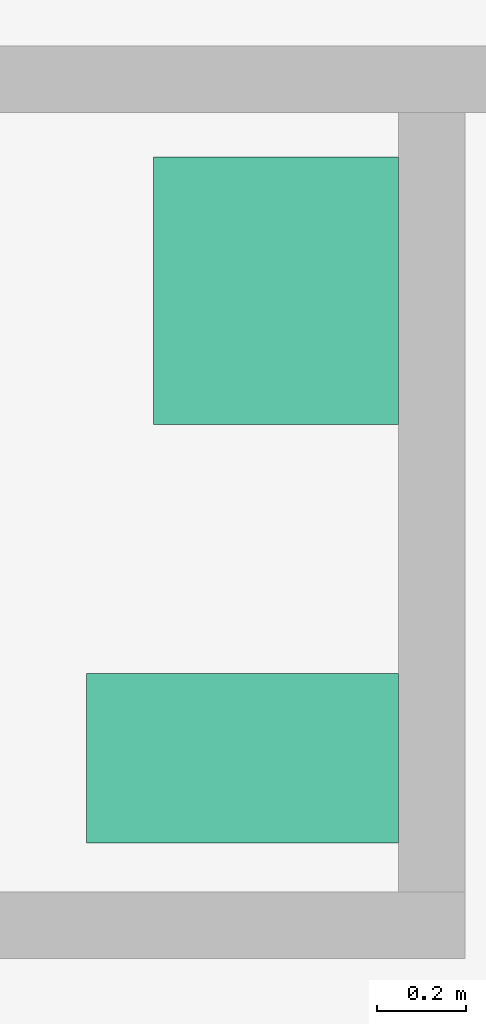
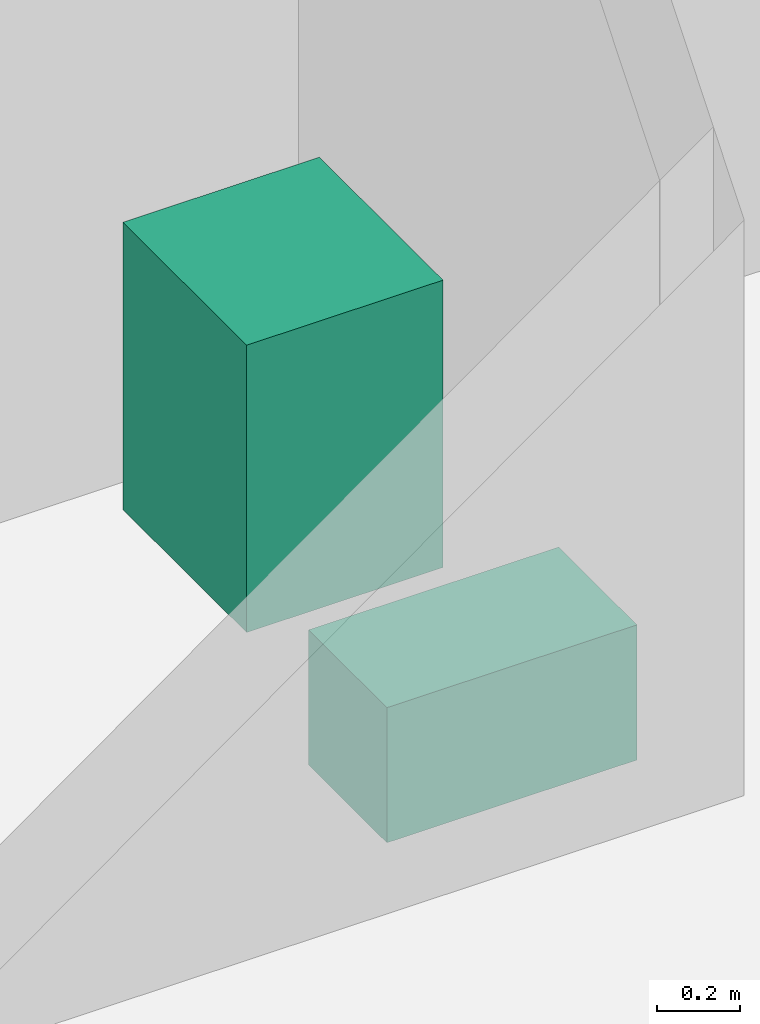
# One storey, part 13 of 13: 2 sanitary terminals.
"""IFC4 building model written with IfcOpenShell, lengths in metres."""

from ifc_helpers import new_model, si_unit, direction, frame, origin, origin_2d, place, context, subcontext, project, spatial, rectangle, extrude, material, element, save


model = new_model("IFC4")

# Units and contexts
model_context = context("Model", 3, precision=1e-05, world=origin(), true_north=direction((0.0, 1.0)))
body_context = subcontext(model_context, "Body", "Model", "MODEL_VIEW")
ifc_project = project(units=[si_unit("LENGTHUNIT", "METRE"), si_unit("AREAUNIT", "SQUARE_METRE"), si_unit("VOLUMEUNIT", "CUBIC_METRE"), si_unit("PLANEANGLEUNIT", "RADIAN"), si_unit("MASSUNIT", "GRAM", prefix="KILO")], contexts=[model_context])

# Site, building, storey
site_placement = place(None, origin())
site = spatial("IfcSite", under=ifc_project, at=site_placement, CompositionType="ELEMENT")
building_placement = place(site_placement, origin())
building = spatial("IfcBuilding", under=site, at=building_placement, Name="Kopane Lantern Tower", CompositionType="ELEMENT")
storey_placement = place(building_placement, frame((0.0, 0.0, 63.60009765625)))
storey = spatial("IfcBuildingStorey", under=building, at=storey_placement, Name="L15", CompositionType="ELEMENT", Elevation=63.60009765625)

# Sanitary terminals
ifc_material = material(Name="Vitreous china")
sanitary_terminal_1_placement = place(storey_placement, frame((34.14990234375, 27.75, 0.0), z_axis=(0.0, 0.0, 1.0), x_axis=(1.0, 0.0, 0.0)))
element("IfcSanitaryTerminal", 1, at=sanitary_terminal_1_placement, inside=storey, material=ifc_material, Name="WC pan L15", PredefinedType="TOILETPAN", context=body_context, shape_type="SweptSolid", body=[
    extrude(rectangle(XDim=0.699951171875, YDim=0.3798828125, at=origin_2d()), origin(), (0.0, 0.0, 1.0), 0.39990234375),
])
sanitary_terminal_2_placement = place(storey_placement, frame((34.22509765625, 28.800048828125, -0.000244140625), z_axis=(0.0, 0.0, 1.0), x_axis=(1.0, 0.0, 0.0)))
element("IfcSanitaryTerminal", 2, at=sanitary_terminal_2_placement, inside=storey, material=ifc_material, Name="Wash basin L15", PredefinedType="WASHHANDBASIN", context=body_context, shape_type="SweptSolid", body=[
    extrude(rectangle(XDim=0.550048828125, YDim=0.60009765625, at=origin_2d()), origin(), (0.0, 0.0, 1.0), 0.85009765625),
])

save(model, "model.ifc")
